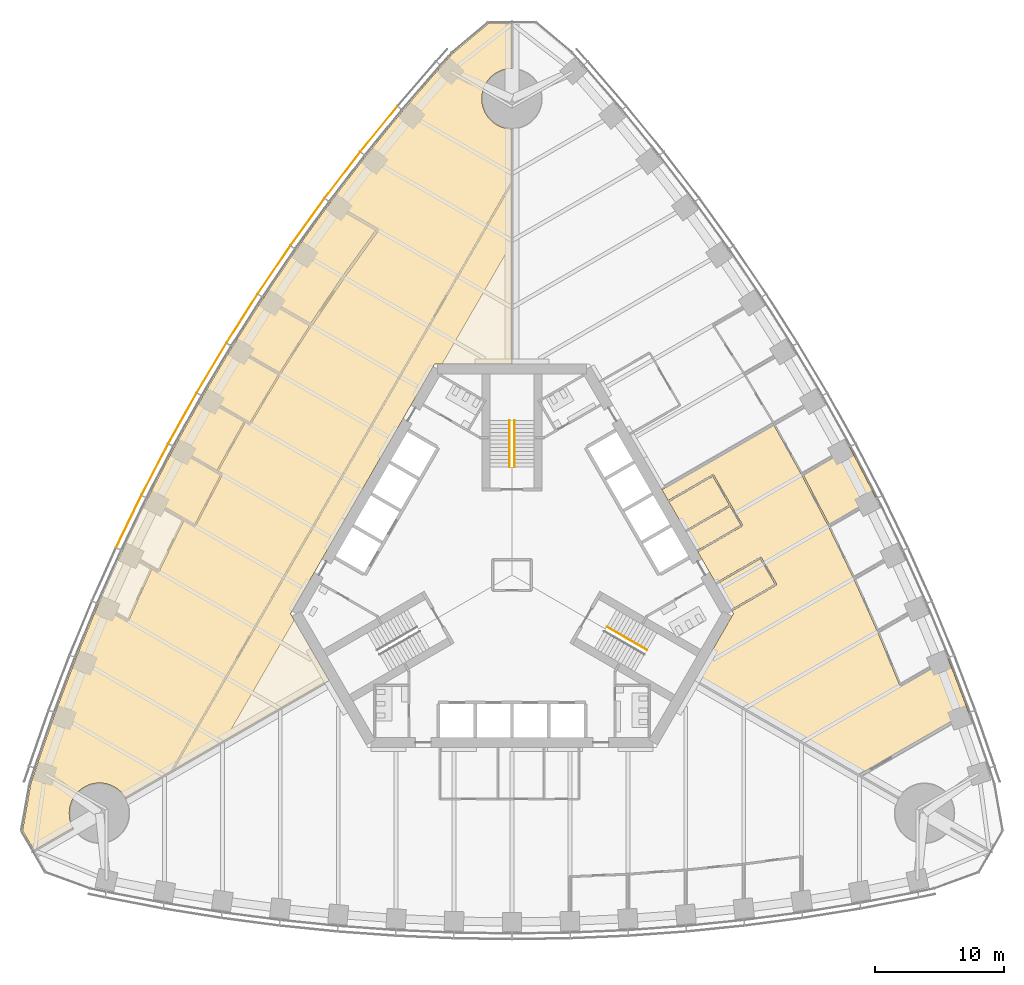
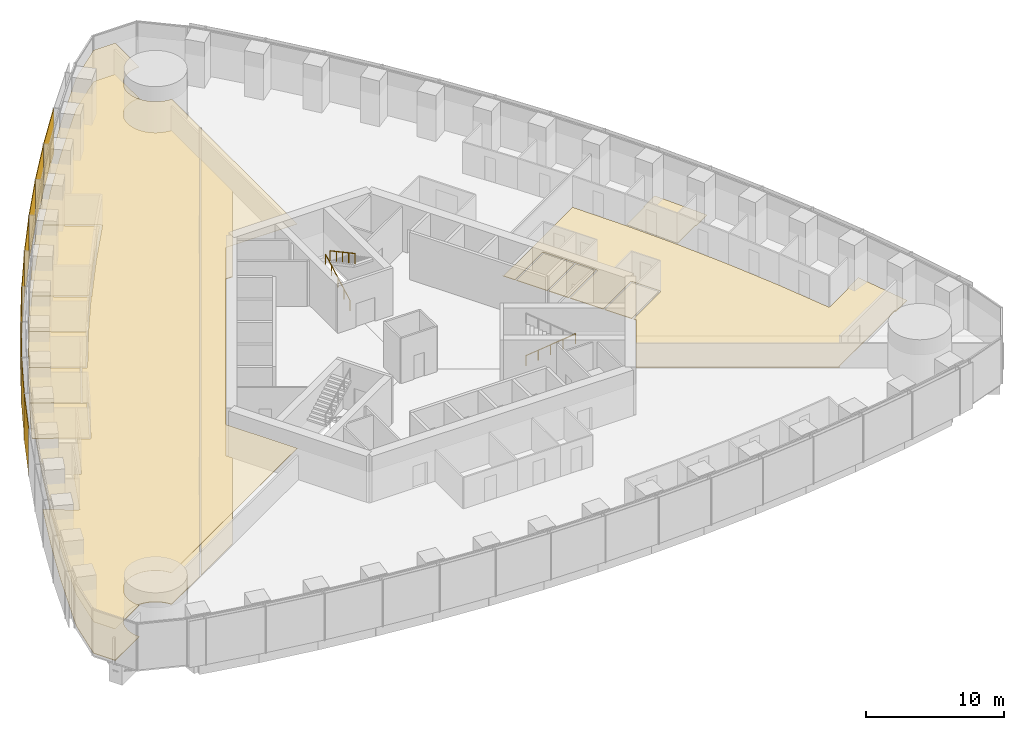
# One storey, part 15 of 18: 13 coverings, 9 shading devices, 3 railings.
"""IFC4 building model written with IfcOpenShell, lengths in metres."""

from ifc_helpers import new_model, si_unit, direction, frame, origin, origin_2d, place, context, subcontext, project, spatial, polyline, rectangle, circle, outline, extrude, material, layer, layer_set, type_object, element, save


model = new_model("IFC4")

# Units and contexts
model_context = context("Model", 3, precision=1e-05, world=origin(), true_north=direction((0.0, 1.0)))
body_context = subcontext(model_context, "Body", "Model", "MODEL_VIEW")
ifc_project = project(units=[si_unit("LENGTHUNIT", "METRE"), si_unit("AREAUNIT", "SQUARE_METRE"), si_unit("VOLUMEUNIT", "CUBIC_METRE"), si_unit("PLANEANGLEUNIT", "RADIAN"), si_unit("MASSUNIT", "GRAM", prefix="KILO")], contexts=[model_context])

# Site, building, storey
site_placement = place(None, origin())
site = spatial("IfcSite", under=ifc_project, at=site_placement, CompositionType="ELEMENT")
building_placement = place(site_placement, origin())
building = spatial("IfcBuilding", under=site, at=building_placement, Name="Trefoil Bronze Tower", CompositionType="ELEMENT")
storey_placement = place(building_placement, frame((0.0, 0.0, 50.10009765625)))
storey = spatial("IfcBuildingStorey", under=building, at=storey_placement, Name="L11", CompositionType="ELEMENT", Elevation=50.10009765625)

# Shading devices
ifc_material_1 = material(Name="Perforated bronze sheet", Category="bronze")
ifc_layer_1 = layer(ifc_material_1, 0.0400390625)
ifc_layer_set_1 = layer_set([ifc_layer_1], Name="Bronze solar screen panel")
shading_device_type = type_object("IfcShadingDeviceType", Name="Bronze solar screen panel", PredefinedType="SHUTTER", material=ifc_layer_set_1)
shading_device_1_placement = place(storey_placement, frame((-10.338623046875, 34.6474609375, 0.0498046875), z_axis=(0.0, 0.0, 1.0), x_axis=(-0.631810729457, -0.775122701346, 0.0)))
element("IfcShadingDevice", 1, at=shading_device_1_placement, inside=storey, type_object=shading_device_type, Name="Solar screen CW-A L11 F3 bay 3", PredefinedType="SHUTTER", context=body_context, shape_type="SweptSolid", body=[
    extrude(rectangle(XDim=4.5283203125, YDim=0.0400390625, at=origin_2d()), origin(), (0.0, 0.0, 1.0), 4.10009765625),
])
shading_device_2_placement = place(storey_placement, frame((-13.170166015625, 31.06787109375, 0.0498046875), z_axis=(0.0, 0.0, 1.0), x_axis=(-0.608807670879, -0.793317855515, 0.0)))
element("IfcShadingDevice", 2, at=shading_device_2_placement, inside=storey, type_object=shading_device_type, Name="Solar screen CW-A L11 F3 bay 4", PredefinedType="SHUTTER", context=body_context, shape_type="SweptSolid", body=[
    extrude(rectangle(XDim=4.5087890625, YDim=0.0400390625, at=origin_2d()), origin(), (0.0, 0.0, 1.0), 4.10009765625),
])
shading_device_3_placement = place(storey_placement, frame((-15.88525390625, 27.421142578125, 0.0498046875), z_axis=(0.0, 0.0, 1.0), x_axis=(-0.585372522213, -0.810764460394, 0.0)))
element("IfcShadingDevice", 3, at=shading_device_3_placement, inside=storey, type_object=shading_device_type, Name="Solar screen CW-A L11 F3 bay 5", PredefinedType="SHUTTER", context=body_context, shape_type="SweptSolid", body=[
    extrude(rectangle(XDim=4.493408203125, YDim=0.0400390625, at=origin_2d()), origin(), (0.0, 0.0, 1.0), 4.10009765625),
])
shading_device_4_placement = place(storey_placement, frame((-18.48486328125, 23.707763671875, 0.0498046875), z_axis=(0.0, 0.0, 1.0), x_axis=(-0.56150968077, -0.827470167681, 0.0)))
element("IfcShadingDevice", 4, at=shading_device_4_placement, inside=storey, type_object=shading_device_type, Name="Solar screen CW-A L11 F3 bay 6", PredefinedType="SHUTTER", context=body_context, shape_type="SweptSolid", body=[
    extrude(rectangle(XDim=4.48193359375, YDim=0.0400390625, at=origin_2d()), origin(), (0.0, 0.0, 1.0), 4.10009765625),
])
shading_device_5_placement = place(storey_placement, frame((-20.97021484375, 19.928466796875, 0.0498046875), z_axis=(0.0, 0.0, 1.0), x_axis=(-0.537222392469, -0.843440632783, 0.0)))
element("IfcShadingDevice", 5, at=shading_device_5_placement, inside=storey, type_object=shading_device_type, Name="Solar screen CW-A L11 F3 bay 7", PredefinedType="SHUTTER", context=body_context, shape_type="SweptSolid", body=[
    extrude(rectangle(XDim=4.474365234375, YDim=0.0400390625, at=origin_2d()), origin(), (0.0, 0.0, 1.0), 4.10009765625),
])
for number, where, z_axis, x_axis, name in (
    (6, (-23.341552734375, 16.083251953125, 0.0498046875), (0.0, 0.0, 1.0), (-0.51251279404, -0.858679588639, 0.0), "Solar screen CW-A L11 F3 bay 8"),
    (7, (-25.599365234375, 12.172607421875, 0.0498046875), (0.0, 0.0, 1.0), (-0.487381940453, -0.873188893722, 0.0), "Solar screen CW-A L11 F3 bay 9"),
):
    element("IfcShadingDevice", number, at=place(storey_placement, frame(where, z_axis=z_axis, x_axis=x_axis)), inside=storey, type_object=shading_device_type, Name=name, PredefinedType="SHUTTER", context=body_context, shape_type="SweptSolid", body=[
        extrude(rectangle(XDim=4.470458984375, YDim=0.0400390625, at=origin_2d()), origin(), (0.0, 0.0, 1.0), 4.10009765625),
    ])
shading_device_6_placement = place(storey_placement, frame((-27.74365234375, 8.1962890625, 0.0498046875), z_axis=(0.0, 0.0, 1.0), x_axis=(-0.46182981834, -0.886968555752, 0.0)))
element("IfcShadingDevice", 8, at=shading_device_6_placement, inside=storey, type_object=shading_device_type, Name="Solar screen CW-A L11 F3 bay 10", PredefinedType="SHUTTER", context=body_context, shape_type="SweptSolid", body=[
    extrude(rectangle(XDim=4.474365234375, YDim=0.0400390625, at=origin_2d()), origin(), (0.0, 0.0, 1.0), 4.10009765625),
])
shading_device_7_placement = place(storey_placement, frame((-29.77392578125, 4.154541015625, 0.0498046875), z_axis=(0.0, 0.0, 1.0), x_axis=(-0.4358553457, -0.900016731858, 0.0)))
element("IfcShadingDevice", 9, at=shading_device_7_placement, inside=storey, type_object=shading_device_type, Name="Solar screen CW-A L11 F3 bay 11", PredefinedType="SHUTTER", context=body_context, shape_type="SweptSolid", body=[
    extrude(rectangle(XDim=4.48193359375, YDim=0.0400390625, at=origin_2d()), origin(), (0.0, 0.0, 1.0), 4.10009765625),
])

# Railings
ifc_material_2 = material(Name="Steel handrail", Category="steel")
railing_type = type_object("IfcRailingType", Name="Handrail 900", PredefinedType="HANDRAIL", material=ifc_material_2)
railing_1_placement = place(storey_placement, frame((7.365966796875, -4.021728515625, 0.161376953125)))
element("IfcRailing", 10, at=railing_1_placement, inside=storey, type_object=railing_type, Name="Handrail ST1 flight 1 L11", PredefinedType="HANDRAIL", context=body_context, shape_type="SweptSolid", body=[
    extrude(circle(Radius=0.02392578125, at=origin_2d()), frame((0.0, 0.0, 0.8759765625), z_axis=(0.76250339821, -0.440245697338, 0.474101564745), x_axis=(0.500012057535, 0.866018442252, 0.0)), (0.0, 0.0, 1.0), 4.088623046875),
    extrude(circle(Radius=0.02099609375, at=origin_2d()), origin(), (0.0, 0.0, 1.0), 0.851806640625),
    extrude(circle(Radius=0.02099609375, at=origin_2d()), frame((0.779296875, -0.449951171875, 0.484619140625)), (0.0, 0.0, 1.0), 0.851806640625),
    extrude(circle(Radius=0.02099609375, at=origin_2d()), frame((1.558837890625, -0.89990234375, 0.96923828125)), (0.0, 0.0, 1.0), 0.851806640625),
    extrude(circle(Radius=0.02099609375, at=origin_2d()), frame((2.33837890625, -1.35009765625, 1.453857421875)), (0.0, 0.0, 1.0), 0.851806640625),
    extrude(circle(Radius=0.02099609375, at=origin_2d()), frame((3.11767578125, -1.800048828125, 1.9384765625)), (0.0, 0.0, 1.0), 0.851806640625),
])
railing_2_placement = place(storey_placement, frame((-0.199951171875, 8.389892578125, 0.161376953125)))
element("IfcRailing", 11, at=railing_2_placement, inside=storey, type_object=railing_type, Name="Handrail ST2 flight 1 L11", PredefinedType="HANDRAIL", context=body_context, shape_type="SweptSolid", body=[
    extrude(circle(Radius=0.02392578125, at=origin_2d()), frame((0.0, 0.0, 0.8759765625), z_axis=(0.0, 0.880474934443, 0.474092701714), x_axis=(-1.0, 0.0, 0.0)), (0.0, 0.0, 1.0), 4.0888671875),
    extrude(circle(Radius=0.02099609375, at=origin_2d()), origin(), (0.0, 0.0, 1.0), 0.851806640625),
    extrude(circle(Radius=0.02099609375, at=origin_2d()), frame((0.0, 0.89990234375, 0.484619140625)), (0.0, 0.0, 1.0), 0.851806640625),
    extrude(circle(Radius=0.02099609375, at=origin_2d()), frame((0.0, 1.800048828125, 0.96923828125)), (0.0, 0.0, 1.0), 0.851806640625),
    extrude(circle(Radius=0.02099609375, at=origin_2d()), frame((0.0, 2.7001953125, 1.453857421875)), (0.0, 0.0, 1.0), 0.851806640625),
    extrude(circle(Radius=0.02099609375, at=origin_2d()), frame((0.0, 3.60009765625, 1.9384765625)), (0.0, 0.0, 1.0), 0.851806640625),
])
railing_3_placement = place(storey_placement, frame((0.199951171875, 11.989990234375, 2.261474609375)))
element("IfcRailing", 12, at=railing_3_placement, inside=storey, type_object=railing_type, Name="Handrail ST2 flight 2 L11", PredefinedType="HANDRAIL", context=body_context, shape_type="SweptSolid", body=[
    extrude(circle(Radius=0.02392578125, at=origin_2d()), frame((0.0, 0.0, 0.8759765625), z_axis=(0.0, -0.880474934443, 0.474092701714), x_axis=(1.0, 0.0, 0.0)), (0.0, 0.0, 1.0), 4.0888671875),
    extrude(circle(Radius=0.02099609375, at=origin_2d()), origin(), (0.0, 0.0, 1.0), 0.851806640625),
    extrude(circle(Radius=0.02099609375, at=origin_2d()), frame((0.0, -0.89990234375, 0.484619140625)), (0.0, 0.0, 1.0), 0.851806640625),
    extrude(circle(Radius=0.02099609375, at=origin_2d()), frame((0.0, -1.800048828125, 0.96923828125)), (0.0, 0.0, 1.0), 0.851806640625),
    extrude(circle(Radius=0.02099609375, at=origin_2d()), frame((0.0, -2.7001953125, 1.453857421875)), (0.0, 0.0, 1.0), 0.851806640625),
    extrude(circle(Radius=0.02099609375, at=origin_2d()), frame((0.0, -3.60009765625, 1.9384765625)), (0.0, 0.0, 1.0), 0.851806640625),
])

# Coverings
ifc_material_3 = material(Name="Acoustic ceiling panels", Category="mineral fibre")
ifc_layer_2 = layer(ifc_material_3, 0.02001953125)
ifc_layer_set_2 = layer_set([ifc_layer_2], Name="Office ceiling 20")
covering_type_1 = type_object("IfcCoveringType", Name="Office ceiling 20", PredefinedType="CEILING", material=ifc_layer_set_2)
covering_1_placement = place(storey_placement, frame((0.0, 0.0, 2.89990234375)))
element("IfcCovering", 13, at=covering_1_placement, inside=storey, type_object=covering_type_1, Name="Ceiling L11 Open-plan office F3", PredefinedType="CEILING", context=body_context, shape_type="SweptSolid", body=[
    extrude(outline(polyline([(-36.9814453125, -15.021728515625), (-35.47998046875, -10.6923828125), (-33.860107421875, -6.431640625), (-32.123291015625, -2.23828125), (-30.271240234375, 1.888671875), (-28.3046875, 5.949462890625), (-26.224609375, 9.944580078125), (-24.031005859375, 13.87451171875), (-21.724609375, 17.73876953125), (-19.3046875, 21.537841796875), (-16.771240234375, 25.271484375), (-14.123291015625, 28.938720703125), (-11.360107421875, 32.53955078125), (-8.47998046875, 36.072998046875), (-5.4814453125, 39.537841796875), (-4.618896484375, 40.497314453125), (-1.82421875, 42.84228515625), (-0.01611328125, 42.84228515625), (-0.014892578125, 39.349609375), (-0.115234375, 39.34716796875), (-0.230224609375, 39.338623046875), (-0.3447265625, 39.32470703125), (-0.45849609375, 39.3046875), (-0.571044921875, 39.279541015625), (-0.68212890625, 39.248779296875), (-0.791748046875, 39.212646484375), (-0.8994140625, 39.171142578125), (-1.0048828125, 39.12451171875), (-1.10791015625, 39.072509765625), (-1.2080078125, 39.015625), (-1.3056640625, 38.9541015625), (-1.39990234375, 38.887451171875), (-1.49072265625, 38.816650390625), (-1.578125, 38.7412109375), (-1.66162109375, 38.66162109375), (-1.7412109375, 38.578125), (-1.816650390625, 38.49072265625), (-1.887451171875, 38.39990234375), (-1.9541015625, 38.3056640625), (-2.015625, 38.2080078125), (-2.072509765625, 38.10791015625), (-2.12451171875, 38.0048828125), (-2.171142578125, 37.8994140625), (-2.212646484375, 37.791748046875), (-2.248779296875, 37.68212890625), (-2.279541015625, 37.571044921875), (-2.3046875, 37.45849609375), (-2.32470703125, 37.3447265625), (-2.338623046875, 37.230224609375), (-2.34716796875, 37.115234375), (-2.35009765625, 37.0), (-2.34716796875, 36.884765625), (-2.338623046875, 36.769775390625), (-2.32470703125, 36.6552734375), (-2.3046875, 36.54150390625), (-2.279541015625, 36.428955078125), (-2.248779296875, 36.31787109375), (-2.212646484375, 36.208251953125), (-2.171142578125, 36.1005859375), (-2.12451171875, 35.9951171875), (-2.072509765625, 35.89208984375), (-2.015625, 35.7919921875), (-1.9541015625, 35.6943359375), (-1.887451171875, 35.60009765625), (-1.816650390625, 35.50927734375), (-1.7412109375, 35.421875), (-1.66162109375, 35.33837890625), (-1.578125, 35.2587890625), (-1.49072265625, 35.183349609375), (-1.39990234375, 35.112548828125), (-1.3056640625, 35.0458984375), (-1.2080078125, 34.984375), (-1.10791015625, 34.927490234375), (-1.0048828125, 34.87548828125), (-0.8994140625, 34.828857421875), (-0.791748046875, 34.787353515625), (-0.68212890625, 34.751220703125), (-0.571044921875, 34.720458984375), (-0.45849609375, 34.6953125), (-0.3447265625, 34.67529296875), (-0.230224609375, 34.661376953125), (-0.115234375, 34.65283203125), (-0.012939453125, 34.650390625), (-0.006103515625, 16.39990234375), (-6.00439453125, 16.39990234375), (-17.205078125, -3.0), (-14.205810546875, -8.194580078125), (-30.0146484375, -17.31396484375), (-30.02734375, -17.2919921875), (-30.089111328125, -17.1943359375), (-30.155517578125, -17.10009765625), (-30.226318359375, -17.00927734375), (-30.3017578125, -16.921875), (-30.381103515625, -16.83837890625), (-30.46484375, -16.7587890625), (-30.552001953125, -16.683349609375), (-30.64306640625, -16.612548828125), (-30.7373046875, -16.5458984375), (-30.834716796875, -16.484375), (-30.935302734375, -16.427490234375), (-31.0380859375, -16.37548828125), (-31.1435546875, -16.328857421875), (-31.251220703125, -16.287353515625), (-31.36083984375, -16.251220703125), (-31.471923828125, -16.220458984375), (-31.58447265625, -16.1953125), (-31.697998046875, -16.17529296875), (-31.8125, -16.161376953125), (-31.927490234375, -16.15283203125), (-32.04296875, -16.14990234375), (-32.158203125, -16.15283203125), (-32.273193359375, -16.161376953125), (-32.3876953125, -16.17529296875), (-32.50146484375, -16.1953125), (-32.614013671875, -16.220458984375), (-32.72509765625, -16.251220703125), (-32.834716796875, -16.287353515625), (-32.942138671875, -16.328857421875), (-33.047607421875, -16.37548828125), (-33.150634765625, -16.427490234375), (-33.251220703125, -16.484375), (-33.348388671875, -16.5458984375), (-33.44287109375, -16.612548828125), (-33.53369140625, -16.683349609375), (-33.62109375, -16.7587890625), (-33.70458984375, -16.83837890625), (-33.7841796875, -16.921875), (-33.859619140625, -17.00927734375), (-33.930419921875, -17.10009765625), (-33.996826171875, -17.1943359375), (-34.05859375, -17.2919921875), (-34.115478515625, -17.39208984375), (-34.167236328125, -17.4951171875), (-34.214111328125, -17.6005859375), (-34.255615234375, -17.708251953125), (-34.291748046875, -17.81787109375), (-34.322509765625, -17.928955078125), (-34.347900390625, -18.04150390625), (-34.367431640625, -18.1552734375), (-34.381591796875, -18.269775390625), (-34.39013671875, -18.384765625), (-34.392822265625, -18.5), (-34.39013671875, -18.615234375), (-34.381591796875, -18.730224609375), (-34.367431640625, -18.8447265625), (-34.347900390625, -18.95849609375), (-34.322509765625, -19.071044921875), (-34.291748046875, -19.18212890625), (-34.255615234375, -19.291748046875), (-34.214111328125, -19.3994140625), (-34.167236328125, -19.5048828125), (-34.115478515625, -19.60791015625), (-34.084716796875, -19.661865234375), (-37.110595703125, -21.4072265625), (-38.0146484375, -19.841552734375), (-37.381103515625, -16.248779296875), (-36.9814453125, -15.021728515625)])), origin(), (0.0, 0.0, 1.0), 0.02001953125),
])
ifc_material_4 = material(Name="Raised access floor panels", Category="steel")
ifc_layer_3 = layer(ifc_material_4, 0.050048828125)
ifc_layer_set_3 = layer_set([ifc_layer_3], Name="Raised access floor 150")
covering_type_2 = type_object("IfcCoveringType", Name="Raised access floor 150", PredefinedType="FLOORING", material=ifc_layer_set_3)
covering_2_placement = place(storey_placement, frame((0.0, 0.0, 0.099853515625)))
element("IfcCovering", 14, at=covering_2_placement, inside=storey, type_object=covering_type_2, Name="Raised floor L11 Focus room F2", PredefinedType="FLOORING", context=body_context, shape_type="SweptSolid", body=[
    extrude(outline(polyline([(13.53466796875, 3.357177734375), (16.947021484375, 5.3271484375), (17.786865234375, 3.872314453125), (14.374755859375, 1.902099609375), (13.53466796875, 3.357177734375)])), origin(), (0.0, 0.0, 1.0), 0.050048828125),
])
covering_3_placement = place(storey_placement, frame((0.0, 0.0, 0.099853515625)))
element("IfcCovering", 15, at=covering_3_placement, inside=storey, type_object=covering_type_2, Name="Raised floor L11 Pantry F2", PredefinedType="FLOORING", context=body_context, shape_type="SweptSolid", body=[
    extrude(outline(polyline([(12.184814453125, 5.6953125), (15.596923828125, 7.665283203125), (16.886962890625, 5.43115234375), (13.474609375, 3.461181640625), (12.184814453125, 5.6953125)])), origin(), (0.0, 0.0, 1.0), 0.050048828125),
])
covering_4_placement = place(storey_placement, frame((0.0, 0.0, 0.099853515625)))
element("IfcCovering", 16, at=covering_4_placement, inside=storey, type_object=covering_type_2, Name="Raised floor L11 Print and store room F2", PredefinedType="FLOORING", context=body_context, shape_type="SweptSolid", body=[
    extrude(outline(polyline([(15.884765625, -0.713134765625), (19.296875, 1.2568359375), (20.43701171875, -0.7177734375), (17.024658203125, -2.687744140625), (15.884765625, -0.713134765625)])), origin(), (0.0, 0.0, 1.0), 0.050048828125),
])
covering_5_placement = place(storey_placement, frame((0.0, 0.0, 0.099853515625)))
element("IfcCovering", 17, at=covering_5_placement, inside=storey, type_object=covering_type_2, Name="Raised floor L11 Office F2", PredefinedType="FLOORING", context=body_context, shape_type="SweptSolid", body=[
    extrude(outline(polyline([(26.224609375, 9.944580078125), (28.3046875, 5.949462890625), (26.93408203125, 5.158203125), (26.904052734375, 5.210205078125), (24.6484375, 3.90771484375), (22.623779296875, 7.79638671875), (24.885498046875, 9.102294921875), (24.855712890625, 9.154296875), (26.224609375, 9.944580078125)])), origin(), (0.0, 0.0, 1.0), 0.050048828125),
])
covering_6_placement = place(storey_placement, frame((0.0, 0.0, 0.099853515625)))
element("IfcCovering", 18, at=covering_6_placement, inside=storey, type_object=covering_type_2, Name="Raised floor L11 Open-plan office F2", PredefinedType="FLOORING", context=body_context, shape_type="SweptSolid", body=[
    extrude(outline(polyline([(27.01171875, -15.581787109375), (14.205810546875, -8.194580078125), (17.205078125, -3.0), (17.084716796875, -2.79150390625), (20.548828125, -0.79150390625), (20.518798828125, -0.73974609375), (20.57080078125, -0.709716796875), (19.370849609375, 1.368896484375), (19.31884765625, 1.3388671875), (19.288818359375, 1.390625), (15.82470703125, -0.609375), (14.434814453125, 1.79833984375), (17.898681640625, 3.79833984375), (17.868896484375, 3.850341796875), (17.9208984375, 3.88037109375), (15.6708984375, 7.77734375), (15.618896484375, 7.747314453125), (15.5888671875, 7.79931640625), (12.124755859375, 5.79931640625), (11.605224609375, 6.69921875), (11.614013671875, 6.7041015625), (11.65087890625, 6.639892578125), (20.335205078125, 11.65380859375), (22.4912109375, 7.791015625), (24.570556640625, 3.797607421875), (26.536376953125, -0.26171875), (28.3876953125, -4.386962890625), (30.1240234375, -8.57958984375), (30.179443359375, -8.556640625), (30.20947265625, -8.608642578125), (32.507080078125, -7.281982421875), (32.477294921875, -7.22998046875), (33.860107421875, -6.431640625), (35.47998046875, -10.6923828125), (34.090576171875, -11.49462890625), (34.04052734375, -11.408203125), (27.0048828125, -15.47021484375), (27.054931640625, -15.556640625), (27.01171875, -15.581787109375)])), origin(), (0.0, 0.0, 1.0), 0.050048828125),
])
covering_7_placement = place(storey_placement, frame((0.0, 0.0, 0.099853515625)))
element("IfcCovering", 19, at=covering_7_placement, inside=storey, type_object=covering_type_2, Name="Raised floor L11 Training room F3", PredefinedType="FLOORING", context=body_context, shape_type="SweptSolid", body=[
    extrude(outline(polyline([(-16.771240234375, 25.271484375), (-14.123291015625, 28.938720703125), (-12.745849609375, 28.143310546875), (-12.7958984375, 28.056884765625), (-10.588623046875, 26.782470703125), (-13.171630859375, 23.204833984375), (-13.0908203125, 23.146484375), (-13.17333984375, 23.202392578125), (-15.65478515625, 19.5458984375), (-17.884033203125, 20.833251953125), (-17.93408203125, 20.74658203125), (-19.3046875, 21.537841796875), (-16.771240234375, 25.271484375)])), origin(), (0.0, 0.0, 1.0), 0.050048828125),
])
covering_8_placement = place(storey_placement, frame((0.0, 0.0, 0.099853515625)))
element("IfcCovering", 20, at=covering_8_placement, inside=storey, type_object=covering_type_2, Name="Raised floor L11 Office F3", PredefinedType="FLOORING", context=body_context, shape_type="SweptSolid", body=[
    extrude(outline(polyline([(-19.3046875, 21.537841796875), (-17.93408203125, 20.74658203125), (-17.984130859375, 20.659912109375), (-15.72998046875, 19.3583984375), (-18.063720703125, 15.694580078125), (-20.32568359375, 17.00048828125), (-20.355712890625, 16.948486328125), (-21.724609375, 17.73876953125), (-19.3046875, 21.537841796875)])), origin(), (0.0, 0.0, 1.0), 0.050048828125),
])
covering_9_placement = place(storey_placement, frame((0.0, 0.0, 0.099853515625)))
element("IfcCovering", 21, at=covering_9_placement, inside=storey, type_object=covering_type_2, Name="Raised floor L11 Office F3", PredefinedType="FLOORING", context=body_context, shape_type="SweptSolid", body=[
    extrude(outline(polyline([(-24.031005859375, 13.87451171875), (-21.724609375, 17.73876953125), (-20.355712890625, 16.948486328125), (-20.385498046875, 16.896484375), (-18.126708984375, 15.59228515625), (-20.37158203125, 11.830810546875), (-22.6328125, 13.13623046875), (-22.662841796875, 13.08447265625), (-24.031005859375, 13.87451171875)])), origin(), (0.0, 0.0, 1.0), 0.050048828125),
])
covering_10_placement = place(storey_placement, frame((0.0, 0.0, 0.099853515625)))
element("IfcCovering", 22, at=covering_10_placement, inside=storey, type_object=covering_type_2, Name="Raised floor L11 Project room F3", PredefinedType="FLOORING", context=body_context, shape_type="SweptSolid", body=[
    extrude(outline(polyline([(-26.224609375, 9.944580078125), (-24.031005859375, 13.87451171875), (-22.662841796875, 13.08447265625), (-22.69287109375, 13.032470703125), (-20.7998046875, 11.939453125), (-22.934814453125, 8.114501953125), (-24.82568359375, 9.206298828125), (-24.855712890625, 9.154296875), (-26.224609375, 9.944580078125)])), origin(), (0.0, 0.0, 1.0), 0.050048828125),
])
covering_11_placement = place(storey_placement, frame((0.0, 0.0, 0.099853515625)))
element("IfcCovering", 23, at=covering_11_placement, inside=storey, type_object=covering_type_2, Name="Raised floor L11 Meeting room F3", PredefinedType="FLOORING", context=body_context, shape_type="SweptSolid", body=[
    extrude(outline(polyline([(-28.3046875, 5.949462890625), (-26.224609375, 9.944580078125), (-24.855712890625, 9.154296875), (-24.885498046875, 9.102294921875), (-22.623779296875, 7.79638671875), (-24.6484375, 3.90771484375), (-26.904052734375, 5.210205078125), (-26.93408203125, 5.158203125), (-28.3046875, 5.949462890625)])), origin(), (0.0, 0.0, 1.0), 0.050048828125),
])
covering_12_placement = place(storey_placement, frame((0.0, 0.0, 0.099853515625)))
element("IfcCovering", 24, at=covering_12_placement, inside=storey, type_object=covering_type_2, Name="Raised floor L11 Corridor F3", PredefinedType="FLOORING", context=body_context, shape_type="SweptSolid", body=[
    extrude(outline(polyline([(-0.011474609375, 30.38037109375), (-0.009765625, 25.783203125), (-5.427001953125, 16.39990234375), (-6.00439453125, 16.39990234375), (-17.205078125, -3.0), (-16.91650390625, -3.5), (-22.333740234375, -12.88330078125), (-26.31591796875, -15.180419921875), (-0.011474609375, 30.38037109375)])), origin(), (0.0, 0.0, 1.0), 0.050048828125),
])
covering_13_placement = place(storey_placement, frame((0.0, 0.0, 0.099853515625)))
element("IfcCovering", 25, at=covering_13_placement, inside=storey, type_object=covering_type_2, Name="Raised floor L11 Open-plan office F3", PredefinedType="FLOORING", context=body_context, shape_type="SweptSolid", body=[
    extrude(outline(polyline([(-33.860107421875, -6.431640625), (-32.123291015625, -2.23828125), (-30.745849609375, -3.033447265625), (-30.77587890625, -3.08544921875), (-29.871337890625, -3.607666015625), (-29.84130859375, -3.5556640625), (-29.78662109375, -3.580078125), (-27.9619140625, 0.486083984375), (-27.50390625, 0.2216796875), (-27.47412109375, 0.273681640625), (-27.419921875, 0.24755859375), (-25.481689453125, 4.250244140625), (-24.654052734375, 3.7724609375), (-24.6240234375, 3.824462890625), (-24.57080078125, 3.796630859375), (-22.49072265625, 7.7919921875), (-22.5439453125, 7.819580078125), (-22.513916015625, 7.87158203125), (-22.830810546875, 8.054443359375), (-20.69580078125, 11.87939453125), (-20.380615234375, 11.697509765625), (-20.3505859375, 11.74951171875), (-20.299072265625, 11.718505859375), (-17.992919921875, 15.582275390625), (-15.574462890625, 19.379150390625), (-15.54150390625, 19.356689453125), (-13.0087890625, 23.089111328125), (-10.36181640625, 26.755126953125), (-10.44287109375, 26.813720703125), (-10.392822265625, 26.900390625), (-12.69580078125, 28.22998046875), (-12.745849609375, 28.143310546875), (-14.123291015625, 28.938720703125), (-11.360107421875, 32.53955078125), (-8.47998046875, 36.072998046875), (-5.4814453125, 39.537841796875), (-4.618896484375, 40.497314453125), (-1.82421875, 42.84228515625), (-0.01611328125, 42.84228515625), (-0.014892578125, 39.349609375), (-0.115234375, 39.34716796875), (-0.230224609375, 39.338623046875), (-0.3447265625, 39.32470703125), (-0.45849609375, 39.3046875), (-0.571044921875, 39.279541015625), (-0.68212890625, 39.248779296875), (-0.791748046875, 39.212646484375), (-0.8994140625, 39.171142578125), (-1.0048828125, 39.12451171875), (-1.10791015625, 39.072509765625), (-1.2080078125, 39.015625), (-1.3056640625, 38.9541015625), (-1.39990234375, 38.887451171875), (-1.49072265625, 38.816650390625), (-1.578125, 38.7412109375), (-1.66162109375, 38.66162109375), (-1.7412109375, 38.578125), (-1.816650390625, 38.49072265625), (-1.887451171875, 38.39990234375), (-1.9541015625, 38.3056640625), (-2.015625, 38.2080078125), (-2.072509765625, 38.10791015625), (-2.12451171875, 38.0048828125), (-2.171142578125, 37.8994140625), (-2.212646484375, 37.791748046875), (-2.248779296875, 37.68212890625), (-2.279541015625, 37.571044921875), (-2.3046875, 37.45849609375), (-2.32470703125, 37.3447265625), (-2.338623046875, 37.230224609375), (-2.34716796875, 37.115234375), (-2.35009765625, 37.0), (-2.34716796875, 36.884765625), (-2.338623046875, 36.769775390625), (-2.32470703125, 36.6552734375), (-2.3046875, 36.54150390625), (-2.279541015625, 36.428955078125), (-2.248779296875, 36.31787109375), (-2.212646484375, 36.208251953125), (-2.171142578125, 36.1005859375), (-2.12451171875, 35.9951171875), (-2.072509765625, 35.89208984375), (-2.015625, 35.7919921875), (-1.9541015625, 35.6943359375), (-1.887451171875, 35.60009765625), (-1.816650390625, 35.50927734375), (-1.7412109375, 35.421875), (-1.66162109375, 35.33837890625), (-1.578125, 35.2587890625), (-1.49072265625, 35.183349609375), (-1.39990234375, 35.112548828125), (-1.3056640625, 35.0458984375), (-1.2080078125, 34.984375), (-1.10791015625, 34.927490234375), (-1.0048828125, 34.87548828125), (-0.8994140625, 34.828857421875), (-0.791748046875, 34.787353515625), (-0.68212890625, 34.751220703125), (-0.571044921875, 34.720458984375), (-0.45849609375, 34.6953125), (-0.3447265625, 34.67529296875), (-0.230224609375, 34.661376953125), (-0.115234375, 34.65283203125), (-0.012939453125, 34.650390625), (-0.011474609375, 30.488525390625), (-0.068359375, 30.521484375), (-26.466552734375, -15.201416015625), (-26.40966796875, -15.234375), (-30.0146484375, -17.31396484375), (-30.02734375, -17.2919921875), (-30.089111328125, -17.1943359375), (-30.155517578125, -17.10009765625), (-30.226318359375, -17.00927734375), (-30.3017578125, -16.921875), (-30.381103515625, -16.83837890625), (-30.46484375, -16.7587890625), (-30.552001953125, -16.683349609375), (-30.64306640625, -16.612548828125), (-30.7373046875, -16.5458984375), (-30.834716796875, -16.484375), (-30.935302734375, -16.427490234375), (-31.0380859375, -16.37548828125), (-31.1435546875, -16.328857421875), (-31.251220703125, -16.287353515625), (-31.36083984375, -16.251220703125), (-31.471923828125, -16.220458984375), (-31.58447265625, -16.1953125), (-31.697998046875, -16.17529296875), (-31.8125, -16.161376953125), (-31.927490234375, -16.15283203125), (-32.04296875, -16.14990234375), (-32.158203125, -16.15283203125), (-32.273193359375, -16.161376953125), (-32.3876953125, -16.17529296875), (-32.50146484375, -16.1953125), (-32.614013671875, -16.220458984375), (-32.72509765625, -16.251220703125), (-32.834716796875, -16.287353515625), (-32.942138671875, -16.328857421875), (-33.047607421875, -16.37548828125), (-33.150634765625, -16.427490234375), (-33.251220703125, -16.484375), (-33.348388671875, -16.5458984375), (-33.44287109375, -16.612548828125), (-33.53369140625, -16.683349609375), (-33.62109375, -16.7587890625), (-33.70458984375, -16.83837890625), (-33.7841796875, -16.921875), (-33.859619140625, -17.00927734375), (-33.930419921875, -17.10009765625), (-33.996826171875, -17.1943359375), (-34.05859375, -17.2919921875), (-34.115478515625, -17.39208984375), (-34.167236328125, -17.4951171875), (-34.214111328125, -17.6005859375), (-34.255615234375, -17.708251953125), (-34.291748046875, -17.81787109375), (-34.322509765625, -17.928955078125), (-34.347900390625, -18.04150390625), (-34.367431640625, -18.1552734375), (-34.381591796875, -18.269775390625), (-34.39013671875, -18.384765625), (-34.392822265625, -18.5), (-34.39013671875, -18.615234375), (-34.381591796875, -18.730224609375), (-34.367431640625, -18.8447265625), (-34.347900390625, -18.95849609375), (-34.322509765625, -19.071044921875), (-34.291748046875, -19.18212890625), (-34.255615234375, -19.291748046875), (-34.214111328125, -19.3994140625), (-34.167236328125, -19.5048828125), (-34.115478515625, -19.60791015625), (-34.084716796875, -19.661865234375), (-37.110595703125, -21.4072265625), (-38.0146484375, -19.841552734375), (-37.381103515625, -16.248779296875), (-36.9814453125, -15.021728515625), (-35.47998046875, -10.6923828125), (-33.860107421875, -6.431640625)])), origin(), (0.0, 0.0, 1.0), 0.050048828125),
])

save(model, "model.ifc")
